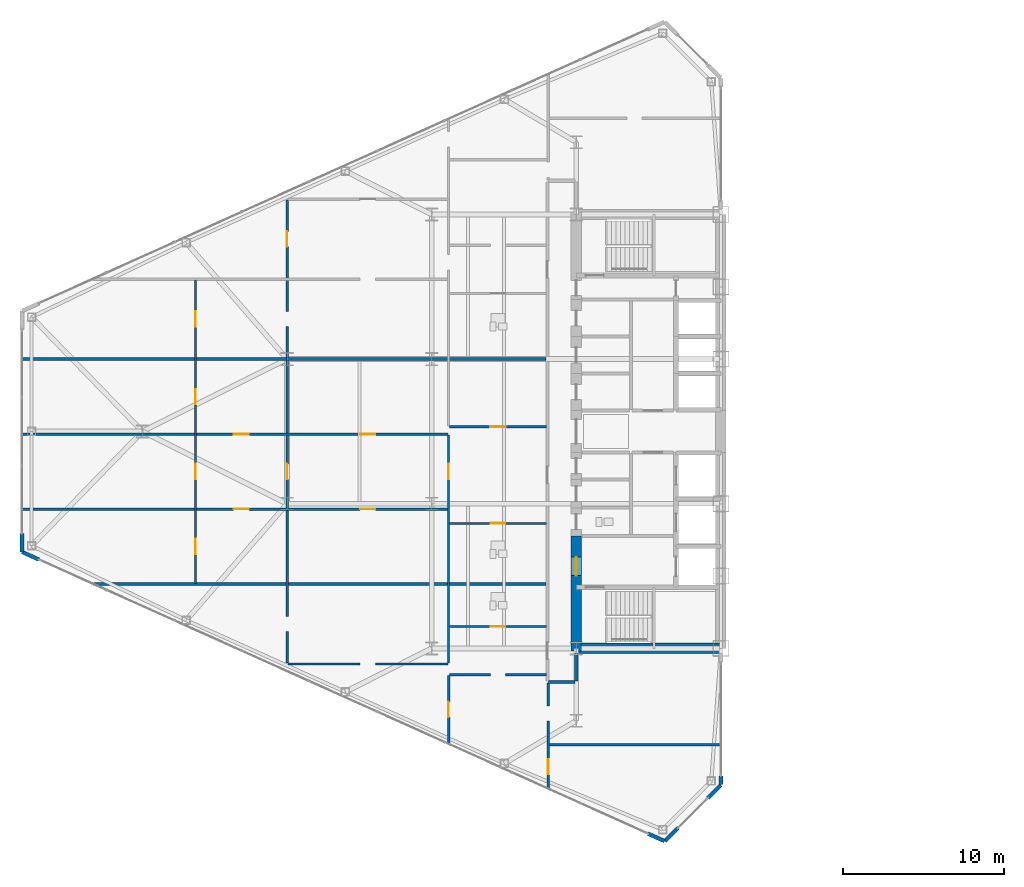
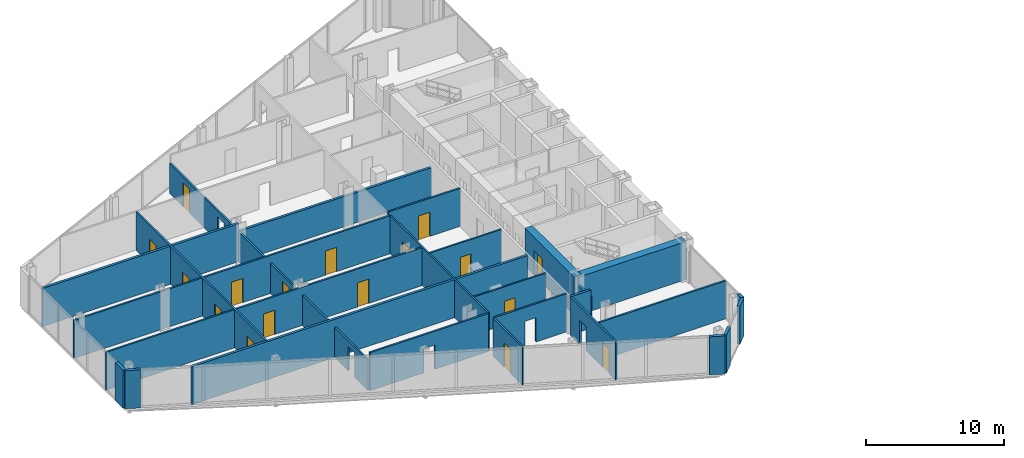
# One storey, part 19 of 27: 26 walls, 17 doors, 22 openings.
"""IFC4 building model written with IfcOpenShell, lengths in metres."""

from ifc_helpers import new_model, si_unit, direction, frame, frame_2d, origin, place, context, subcontext, project, spatial, rectangle, extrude, source, transform, mapped, material, layer, layer_set, type_object, type_shapes, element, fill, save


model = new_model("IFC4")

# Units and contexts
model_context = context("Model", 3, precision=1e-05, world=origin(), true_north=direction((0.0, 1.0)))
body_context = subcontext(model_context, "Body", "Model", "MODEL_VIEW")
ifc_project = project(units=[si_unit("LENGTHUNIT", "METRE"), si_unit("AREAUNIT", "SQUARE_METRE"), si_unit("VOLUMEUNIT", "CUBIC_METRE"), si_unit("PLANEANGLEUNIT", "RADIAN"), si_unit("MASSUNIT", "GRAM", prefix="KILO")], contexts=[model_context])

# Site, building, storey
site_placement = place(None, origin())
site = spatial("IfcSite", under=ifc_project, at=site_placement, CompositionType="ELEMENT")
building_placement = place(site_placement, origin())
building = spatial("IfcBuilding", under=site, at=building_placement, Name="Seokmaru Belvedere", CompositionType="ELEMENT")
storey_placement = place(building_placement, frame((0.0, 0.0, 76.5)))
storey = spatial("IfcBuildingStorey", under=building, at=storey_placement, Name="L20", CompositionType="ELEMENT", Elevation=76.5)

# Wall
ifc_material_1 = material(Name="Fire-Rated Gypsum Shaftwall")
ifc_layer_1 = layer(ifc_material_1, 0.14990234375)
ifc_layer_set_1 = layer_set([ifc_layer_1], Name="Fire-Rated Gypsum Shaftwall")
wall_type_1 = type_object("IfcWallType", Name="Apartment Fire-Acoustic Room Partition 150", PredefinedType="PARTITIONING", material=ifc_layer_set_1)
wall_1_placement = place(storey_placement, frame((-38.199951171875, -19.5, 0.0), z_axis=(0.0, 0.0, 1.0), x_axis=(1.0, 0.0, 0.0)))
element("IfcWall", 1, at=wall_1_placement, inside=storey, type_object=wall_type_1, Name="L20 Interior Partition 001", PredefinedType="PARTITIONING", context=body_context, shape_type="SweptSolid", body=[
    extrude(rectangle(XDim=10.73486328125, YDim=0.14990234375, at=frame_2d((5.367431640625, 0.0))), origin(), (0.0, 0.0, 1.0), 3.3798828125),
])

# Wall, opening
wall_2_placement = place(storey_placement, frame((-44.39990234375, -15.139892578125, 0.0), z_axis=(0.0, 0.0, 1.0), x_axis=(1.0, 0.0, 0.0)))
wall_2 = element("IfcWall", 2, at=wall_2_placement, inside=storey, type_object=wall_type_1, Name="L20 Interior Partition 004", PredefinedType="PARTITIONING", context=body_context, shape_type="SweptSolid", body=[
    extrude(rectangle(XDim=6.0498046875, YDim=0.14990234375, at=frame_2d((3.02490234375, 0.0))), origin(), (0.0, 0.0, 1.0), 3.3798828125),
])
opening_1_placement = place(wall_2_placement, frame((2.550048828125, 0.0, 0.0)))
element("IfcOpeningElement", 3, at=opening_1_placement, cuts=wall_2, Name="L20 Cased Opening 003", PredefinedType="OPENING", context=body_context, shape_type="SweptSolid", body=[
    extrude(rectangle(XDim=0.949951171875, YDim=2.14990234375, at=frame_2d((0.47509765625, 1.074951171875))), frame((0.0, 0.0849609375, 0.0), z_axis=(0.0, -1.0, 0.0), x_axis=(1.0, 0.0, 0.0)), (0.0, 0.0, 1.0), 0.169921875),
])

wall_3_placement = place(storey_placement, frame((-54.449951171875, -14.469970703125, 0.0), z_axis=(0.0, 0.0, 1.0), x_axis=(1.0, 0.0, 0.0)))
wall_3 = element("IfcWall", 4, at=wall_3_placement, inside=storey, type_object=wall_type_1, Name="L20 Interior Partition 005", PredefinedType="PARTITIONING", context=body_context, shape_type="SweptSolid", body=[
    extrude(rectangle(XDim=9.949951171875, YDim=0.14990234375, at=frame_2d((4.97509765625, 0.0))), origin(), (0.0, 0.0, 1.0), 3.3798828125),
])
opening_2_placement = place(wall_3_placement, frame((4.5, 0.0, 0.0)))
element("IfcOpeningElement", 5, at=opening_2_placement, cuts=wall_3, Name="L20 Cased Opening 007", PredefinedType="OPENING", context=body_context, shape_type="SweptSolid", body=[
    extrude(rectangle(XDim=0.949951171875, YDim=2.14990234375, at=frame_2d((0.47509765625, 1.074951171875))), frame((0.0, 0.0849609375, 0.0), z_axis=(0.0, -1.0, 0.0), x_axis=(1.0, 0.0, 0.0)), (0.0, 0.0, 1.0), 0.169921875),
])

# Wall, openings, doors
wall_4_placement = place(storey_placement, frame((-71.034912109375, -4.830078125, 0.0), z_axis=(0.0, 0.0, 1.0), x_axis=(1.0, 0.0, 0.0)))
wall_4 = element("IfcWall", 6, at=wall_4_placement, inside=storey, type_object=wall_type_1, Name="L20 Interior Partition 010", PredefinedType="PARTITIONING", context=body_context, shape_type="SweptSolid", body=[
    extrude(rectangle(XDim=26.534912109375, YDim=0.14990234375, at=frame_2d((13.267578125, 0.0))), origin(), (0.0, 0.0, 1.0), 3.3798828125),
])
opening_3_placement = place(wall_4_placement, frame((21.0849609375, 0.0, 0.0)))
opening_3 = element("IfcOpeningElement", 7, at=opening_3_placement, cuts=wall_4, Name="Opening D05", PredefinedType="OPENING", context=body_context, shape_type="SweptSolid", body=[
    extrude(rectangle(XDim=0.949951171875, YDim=2.14990234375, at=frame_2d((0.47509765625, 1.074951171875))), frame((0.0, 0.0849609375, 0.0), z_axis=(0.0, -1.0, 0.0), x_axis=(1.0, 0.0, 0.0)), (0.0, 0.0, 1.0), 0.169921875),
])
opening_4_placement = place(wall_4_placement, frame((13.2099609375, 0.0, 0.0)))
opening_4 = element("IfcOpeningElement", 8, at=opening_4_placement, cuts=wall_4, Name="Opening D05", PredefinedType="OPENING", context=body_context, shape_type="SweptSolid", body=[
    extrude(rectangle(XDim=0.949951171875, YDim=2.14990234375, at=frame_2d((0.47509765625, 1.074951171875))), frame((0.0, 0.0849609375, 0.0), z_axis=(0.0, -1.0, 0.0), x_axis=(1.0, 0.0, 0.0)), (0.0, 0.0, 1.0), 0.169921875),
])
ifc_material_2 = material(Name="Engineered White Oak Timber", Category="wood")
door_type_1 = type_object("IfcDoorType", Name="Apartment Interior Fire-Rated Oak Door 950x2150", OperationType="NOTDEFINED", PredefinedType="DOOR", material=ifc_material_2)
shared_shape_1 = source(origin(), body_context, "Body", "SweptSolid", [
    extrude(rectangle(XDim=0.949951171875, YDim=2.14990234375, at=frame_2d((0.47509765625, 1.074951171875))), frame((0.0, 0.02490234375, 0.0), z_axis=(0.0, -1.0, 0.0), x_axis=(1.0, 0.0, 0.0)), (0.0, 0.0, 1.0), 0.050048828125),
])
type_shapes(door_type_1, [shared_shape_1])
door_1_placement = place(opening_3_placement, origin())
door_1 = element("IfcDoor", 9, at=door_1_placement, inside=storey, type_object=door_type_1, Name="L20 Interior Door 014", OperationType="SINGLE_SWING_RIGHT", OverallHeight=2.14990234375, OverallWidth=0.949951171875, PredefinedType="DOOR", context=body_context, shape_type="MappedRepresentation", body=[
    mapped(shared_shape_1, transform((0.0, 0.0, 0.0), scale=1.0)),
])
fill(opening_3, door_1)
door_2_placement = place(opening_4_placement, origin())
door_2 = element("IfcDoor", 10, at=door_2_placement, inside=storey, type_object=door_type_1, Name="L20 Interior Door 016", OperationType="SINGLE_SWING_LEFT", OverallHeight=2.14990234375, OverallWidth=0.949951171875, PredefinedType="DOOR", context=body_context, shape_type="MappedRepresentation", body=[
    mapped(shared_shape_1, transform((0.0, 0.0, 0.0), scale=1.0)),
])
fill(opening_4, door_2)

wall_5_placement = place(storey_placement, frame((-71.034912109375, -0.169921875, 0.0), z_axis=(0.0, 0.0, 1.0), x_axis=(1.0, 0.0, 0.0)))
wall_5 = element("IfcWall", 11, at=wall_5_placement, inside=storey, type_object=wall_type_1, Name="L20 Interior Partition 013", PredefinedType="PARTITIONING", context=body_context, shape_type="SweptSolid", body=[
    extrude(rectangle(XDim=26.534912109375, YDim=0.14990234375, at=frame_2d((13.267578125, 0.0))), origin(), (0.0, 0.0, 1.0), 3.3798828125),
])
opening_5_placement = place(wall_5_placement, frame((21.0849609375, 0.0, 0.0)))
opening_5 = element("IfcOpeningElement", 12, at=opening_5_placement, cuts=wall_5, Name="Opening D05", PredefinedType="OPENING", context=body_context, shape_type="SweptSolid", body=[
    extrude(rectangle(XDim=0.949951171875, YDim=2.14990234375, at=frame_2d((0.47509765625, 1.074951171875))), frame((0.0, 0.0849609375, 0.0), z_axis=(0.0, -1.0, 0.0), x_axis=(1.0, 0.0, 0.0)), (0.0, 0.0, 1.0), 0.169921875),
])
opening_6_placement = place(wall_5_placement, frame((13.2099609375, 0.0, 0.0)))
opening_6 = element("IfcOpeningElement", 13, at=opening_6_placement, cuts=wall_5, Name="Opening D05", PredefinedType="OPENING", context=body_context, shape_type="SweptSolid", body=[
    extrude(rectangle(XDim=0.949951171875, YDim=2.14990234375, at=frame_2d((0.47509765625, 1.074951171875))), frame((0.0, 0.0849609375, 0.0), z_axis=(0.0, -1.0, 0.0), x_axis=(1.0, 0.0, 0.0)), (0.0, 0.0, 1.0), 0.169921875),
])
door_3_placement = place(opening_5_placement, origin())
door_3 = element("IfcDoor", 14, at=door_3_placement, inside=storey, type_object=door_type_1, Name="L20 Interior Door 015", OperationType="SINGLE_SWING_LEFT", OverallHeight=2.14990234375, OverallWidth=0.949951171875, PredefinedType="DOOR", context=body_context, shape_type="MappedRepresentation", body=[
    mapped(shared_shape_1, transform((0.0, 0.0, 0.0), scale=1.0)),
])
fill(opening_5, door_3)
door_4_placement = place(opening_6_placement, origin())
door_4 = element("IfcDoor", 15, at=door_4_placement, inside=storey, type_object=door_type_1, Name="L20 Interior Door 019", OperationType="SINGLE_SWING_LEFT", OverallHeight=2.14990234375, OverallWidth=0.949951171875, PredefinedType="DOOR", context=body_context, shape_type="MappedRepresentation", body=[
    mapped(shared_shape_1, transform((0.0, 0.0, 0.0), scale=1.0)),
])
fill(opening_6, door_4)

# Wall, opening, door
wall_6_placement = place(storey_placement, frame((-44.39990234375, 0.300048828125, 0.0), z_axis=(0.0, 0.0, 1.0), x_axis=(1.0, 0.0, 0.0)))
wall_6 = element("IfcWall", 16, at=wall_6_placement, inside=storey, type_object=wall_type_1, Name="L20 Interior Partition 014", PredefinedType="PARTITIONING", context=body_context, shape_type="SweptSolid", body=[
    extrude(rectangle(XDim=6.0498046875, YDim=0.14990234375, at=frame_2d((3.02490234375, 0.0))), origin(), (0.0, 0.0, 1.0), 3.3798828125),
])
opening_7_placement = place(wall_6_placement, frame((2.550048828125, 0.0, 0.0)))
opening_7 = element("IfcOpeningElement", 17, at=opening_7_placement, cuts=wall_6, Name="Opening D05", PredefinedType="OPENING", context=body_context, shape_type="SweptSolid", body=[
    extrude(rectangle(XDim=0.949951171875, YDim=2.14990234375, at=frame_2d((0.47509765625, 1.074951171875))), frame((0.0, 0.0849609375, 0.0), z_axis=(0.0, -1.0, 0.0), x_axis=(1.0, 0.0, 0.0)), (0.0, 0.0, 1.0), 0.169921875),
])
door_5_placement = place(opening_7_placement, origin())
door_5 = element("IfcDoor", 18, at=door_5_placement, inside=storey, type_object=door_type_1, Name="L20 Interior Door 011", OperationType="SINGLE_SWING_LEFT", OverallHeight=2.14990234375, OverallWidth=0.949951171875, PredefinedType="DOOR", context=body_context, shape_type="MappedRepresentation", body=[
    mapped(shared_shape_1, transform((0.0, 0.0, 0.0), scale=1.0)),
])
fill(opening_7, door_5)

# Wall, openings, doors
wall_7_placement = place(storey_placement, frame((-60.199951171875, -9.449951171875, 0.0), z_axis=(0.0, 0.0, 1.0), x_axis=(0.0, 1.0, 0.0)))
wall_7 = element("IfcWall", 19, at=wall_7_placement, inside=storey, type_object=wall_type_1, Name="L20 Interior Partition 033", PredefinedType="PARTITIONING", context=body_context, shape_type="SweptSolid", body=[
    extrude(rectangle(XDim=18.883056640625, YDim=0.14990234375, at=frame_2d((9.44140625, 0.0))), origin(), (0.0, 0.0, 1.0), 3.3798828125),
])
opening_8_placement = place(wall_7_placement, frame((1.808349609375, 0.0, 0.0)))
opening_8 = element("IfcOpeningElement", 20, at=opening_8_placement, cuts=wall_7, Name="Opening D05", PredefinedType="OPENING", context=body_context, shape_type="SweptSolid", body=[
    extrude(rectangle(XDim=0.949951171875, YDim=2.14990234375, at=frame_2d((0.47509765625, 1.074951171875))), frame((0.0, 0.0849609375, 0.0), z_axis=(0.0, -1.0, 0.0), x_axis=(1.0, 0.0, 0.0)), (0.0, 0.0, 1.0), 0.169921875),
])
opening_9_placement = place(wall_7_placement, frame((6.47509765625, 0.0, 0.0)))
opening_9 = element("IfcOpeningElement", 21, at=opening_9_placement, cuts=wall_7, Name="Opening D05", PredefinedType="OPENING", context=body_context, shape_type="SweptSolid", body=[
    extrude(rectangle(XDim=0.949951171875, YDim=2.14990234375, at=frame_2d((0.47509765625, 1.074951171875))), frame((0.0, 0.0849609375, 0.0), z_axis=(0.0, -1.0, 0.0), x_axis=(1.0, 0.0, 0.0)), (0.0, 0.0, 1.0), 0.169921875),
])
opening_10_placement = place(wall_7_placement, frame((11.1416015625, 0.0, 0.0)))
opening_10 = element("IfcOpeningElement", 22, at=opening_10_placement, cuts=wall_7, Name="Opening D05", PredefinedType="OPENING", context=body_context, shape_type="SweptSolid", body=[
    extrude(rectangle(XDim=0.949951171875, YDim=2.14990234375, at=frame_2d((0.47509765625, 1.074951171875))), frame((0.0, 0.0849609375, 0.0), z_axis=(0.0, -1.0, 0.0), x_axis=(1.0, 0.0, 0.0)), (0.0, 0.0, 1.0), 0.169921875),
])
opening_11_placement = place(wall_7_placement, frame((15.96630859375, 0.0, 0.0)))
opening_11 = element("IfcOpeningElement", 23, at=opening_11_placement, cuts=wall_7, Name="Opening D05", PredefinedType="OPENING", context=body_context, shape_type="SweptSolid", body=[
    extrude(rectangle(XDim=0.949951171875, YDim=2.14990234375, at=frame_2d((0.47509765625, 1.074951171875))), frame((0.0, 0.0849609375, 0.0), z_axis=(0.0, -1.0, 0.0), x_axis=(1.0, 0.0, 0.0)), (0.0, 0.0, 1.0), 0.169921875),
])
door_6_placement = place(opening_8_placement, origin())
door_6 = element("IfcDoor", 24, at=door_6_placement, inside=storey, type_object=door_type_1, Name="L20 Interior Door 017", OperationType="SINGLE_SWING_RIGHT", OverallHeight=2.14990234375, OverallWidth=0.949951171875, PredefinedType="DOOR", context=body_context, shape_type="MappedRepresentation", body=[
    mapped(shared_shape_1, transform((0.0, 0.0, 0.0), scale=1.0)),
])
fill(opening_8, door_6)
door_7_placement = place(opening_9_placement, origin())
door_7 = element("IfcDoor", 25, at=door_7_placement, inside=storey, type_object=door_type_1, Name="L20 Interior Door 018", OperationType="SINGLE_SWING_RIGHT", OverallHeight=2.14990234375, OverallWidth=0.949951171875, PredefinedType="DOOR", context=body_context, shape_type="MappedRepresentation", body=[
    mapped(shared_shape_1, transform((0.0, 0.0, 0.0), scale=1.0)),
])
fill(opening_9, door_7)
door_8_placement = place(opening_10_placement, origin())
door_8 = element("IfcDoor", 26, at=door_8_placement, inside=storey, type_object=door_type_1, Name="L20 Interior Door 020", OperationType="SINGLE_SWING_RIGHT", OverallHeight=2.14990234375, OverallWidth=0.949951171875, PredefinedType="DOOR", context=body_context, shape_type="MappedRepresentation", body=[
    mapped(shared_shape_1, transform((0.0, 0.0, 0.0), scale=1.0)),
])
fill(opening_10, door_8)
door_9_placement = place(opening_11_placement, origin())
door_9 = element("IfcDoor", 27, at=door_9_placement, inside=storey, type_object=door_type_1, Name="L20 Interior Door 029", OperationType="SINGLE_SWING_RIGHT", OverallHeight=2.14990234375, OverallWidth=0.949951171875, PredefinedType="DOOR", context=body_context, shape_type="MappedRepresentation", body=[
    mapped(shared_shape_1, transform((0.0, 0.0, 0.0), scale=1.0)),
])
fill(opening_11, door_9)

wall_8_placement = place(storey_placement, frame((-54.5, -14.424072265625, 0.0), z_axis=(0.0, 0.0, 1.0), x_axis=(0.0, 1.0, 0.0)))
wall_8 = element("IfcWall", 28, at=wall_8_placement, inside=storey, type_object=wall_type_1, Name="L20 Interior Partition 034", PredefinedType="PARTITIONING", context=body_context, shape_type="SweptSolid", body=[
    extrude(rectangle(XDim=28.839111328125, YDim=0.14990234375, at=frame_2d((14.41943359375, 0.0))), origin(), (0.0, 0.0, 1.0), 2.679931640625),
])
opening_12_placement = place(wall_8_placement, frame((1.962158203125, 0.0, 0.0)))
element("IfcOpeningElement", 29, at=opening_12_placement, cuts=wall_8, Name="L20 Cased Opening 008", PredefinedType="OPENING", context=body_context, shape_type="SweptSolid", body=[
    extrude(rectangle(XDim=0.949951171875, YDim=2.14990234375, at=frame_2d((0.47509765625, 1.074951171875))), frame((0.0, 0.0849609375, 0.0), z_axis=(0.0, -1.0, 0.0), x_axis=(1.0, 0.0, 0.0)), (0.0, 0.0, 1.0), 0.169921875),
])
opening_13_placement = place(wall_8_placement, frame((11.448974609375, 0.0, 0.0)))
opening_13 = element("IfcOpeningElement", 30, at=opening_13_placement, cuts=wall_8, Name="Opening D05", PredefinedType="OPENING", context=body_context, shape_type="SweptSolid", body=[
    extrude(rectangle(XDim=0.949951171875, YDim=2.14990234375, at=frame_2d((0.47509765625, 1.074951171875))), frame((0.0, 0.0849609375, 0.0), z_axis=(0.0, -1.0, 0.0), x_axis=(1.0, 0.0, 0.0)), (0.0, 0.0, 1.0), 0.169921875),
])
opening_14_placement = place(wall_8_placement, frame((25.922607421875, 0.0, 0.0)))
opening_14 = element("IfcOpeningElement", 31, at=opening_14_placement, cuts=wall_8, Name="Opening D05", PredefinedType="OPENING", context=body_context, shape_type="SweptSolid", body=[
    extrude(rectangle(XDim=0.949951171875, YDim=2.14990234375, at=frame_2d((0.47509765625, 1.074951171875))), frame((0.0, 0.0849609375, 0.0), z_axis=(0.0, -1.0, 0.0), x_axis=(1.0, 0.0, 0.0)), (0.0, 0.0, 1.0), 0.169921875),
])
opening_15_placement = place(wall_8_placement, frame((20.940185546875, 0.0, 0.0)))
element("IfcOpeningElement", 32, at=opening_15_placement, cuts=wall_8, Name="L20 Cased Opening 028", PredefinedType="OPENING", context=body_context, shape_type="SweptSolid", body=[
    extrude(rectangle(XDim=0.949951171875, YDim=2.14990234375, at=frame_2d((0.47509765625, 1.074951171875))), frame((0.0, 0.0849609375, 0.0), z_axis=(0.0, -1.0, 0.0), x_axis=(1.0, 0.0, 0.0)), (0.0, 0.0, 1.0), 0.169921875),
])
door_10_placement = place(opening_13_placement, origin())
door_10 = element("IfcDoor", 33, at=door_10_placement, inside=storey, type_object=door_type_1, Name="L20 Interior Door 013", OperationType="SINGLE_SWING_LEFT", OverallHeight=2.14990234375, OverallWidth=0.949951171875, PredefinedType="DOOR", context=body_context, shape_type="MappedRepresentation", body=[
    mapped(shared_shape_1, transform((0.0, 0.0, 0.0), scale=1.0)),
])
fill(opening_13, door_10)
door_11_placement = place(opening_14_placement, origin())
door_11 = element("IfcDoor", 34, at=door_11_placement, inside=storey, type_object=door_type_1, Name="L20 Interior Door 025", OperationType="SINGLE_SWING_RIGHT", OverallHeight=2.14990234375, OverallWidth=0.949951171875, PredefinedType="DOOR", context=body_context, shape_type="MappedRepresentation", body=[
    mapped(shared_shape_1, transform((0.0, 0.0, 0.0), scale=1.0)),
])
fill(opening_14, door_11)

# Wall, opening, door
wall_9_placement = place(storey_placement, frame((-44.449951171875, -19.48291015625, 0.0), z_axis=(0.0, 0.0, 1.0), x_axis=(0.0, 1.0, 0.0)))
wall_9 = element("IfcWall", 35, at=wall_9_placement, inside=storey, type_object=wall_type_1, Name="L20 Interior Partition 035", PredefinedType="PARTITIONING", context=body_context, shape_type="SweptSolid", body=[
    extrude(rectangle(XDim=4.287841796875, YDim=0.14990234375, at=frame_2d((2.14404296875, 0.0))), origin(), (0.0, 0.0, 1.0), 3.3798828125),
])
opening_16_placement = place(wall_9_placement, frame((1.711669921875, 0.0, 0.0)))
opening_16 = element("IfcOpeningElement", 36, at=opening_16_placement, cuts=wall_9, Name="Opening D05", PredefinedType="OPENING", context=body_context, shape_type="SweptSolid", body=[
    extrude(rectangle(XDim=0.949951171875, YDim=2.14990234375, at=frame_2d((0.47509765625, 1.074951171875))), frame((0.0, 0.0849609375, 0.0), z_axis=(0.0, -1.0, 0.0), x_axis=(1.0, 0.0, 0.0)), (0.0, 0.0, 1.0), 0.169921875),
])
door_12_placement = place(opening_16_placement, origin())
door_12 = element("IfcDoor", 37, at=door_12_placement, inside=storey, type_object=door_type_1, Name="L20 Interior Door 004", OperationType="SINGLE_SWING_RIGHT", OverallHeight=2.14990234375, OverallWidth=0.949951171875, PredefinedType="DOOR", context=body_context, shape_type="MappedRepresentation", body=[
    mapped(shared_shape_1, transform((0.0, 0.0, 0.0), scale=1.0)),
])
fill(opening_16, door_12)

# Wall, openings, door
wall_10_placement = place(storey_placement, frame((-38.25, -22.27294921875, 0.0), z_axis=(0.0, 0.0, 1.0), x_axis=(0.0, 1.0, 0.0)))
wall_10 = element("IfcWall", 38, at=wall_10_placement, inside=storey, type_object=wall_type_1, Name="L20 Interior Partition 039", PredefinedType="PARTITIONING", context=body_context, shape_type="SweptSolid", body=[
    extrude(rectangle(XDim=6.623046875, YDim=0.14990234375, at=frame_2d((3.3115234375, 0.0))), origin(), (0.0, 0.0, 1.0), 3.3798828125),
])
opening_17_placement = place(wall_10_placement, frame((0.92919921875, 0.0, 0.0)))
opening_17 = element("IfcOpeningElement", 39, at=opening_17_placement, cuts=wall_10, Name="Opening D05", PredefinedType="OPENING", context=body_context, shape_type="SweptSolid", body=[
    extrude(rectangle(XDim=0.949951171875, YDim=2.14990234375, at=frame_2d((0.47509765625, 1.074951171875))), frame((0.0, 0.0849609375, 0.0), z_axis=(0.0, -1.0, 0.0), x_axis=(1.0, 0.0, 0.0)), (0.0, 0.0, 1.0), 0.169921875),
])
opening_18_placement = place(wall_10_placement, frame((4.248046875, 0.0, 0.0)))
element("IfcOpeningElement", 40, at=opening_18_placement, cuts=wall_10, Name="L20 Cased Opening 006", PredefinedType="OPENING", context=body_context, shape_type="SweptSolid", body=[
    extrude(rectangle(XDim=0.949951171875, YDim=2.14990234375, at=frame_2d((0.47509765625, 1.074951171875))), frame((0.0, 0.0849609375, 0.0), z_axis=(0.0, -1.0, 0.0), x_axis=(1.0, 0.0, 0.0)), (0.0, 0.0, 1.0), 0.169921875),
])
door_13_placement = place(opening_17_placement, origin())
door_13 = element("IfcDoor", 41, at=door_13_placement, inside=storey, type_object=door_type_1, Name="L20 Interior Door 005", OperationType="SINGLE_SWING_LEFT", OverallHeight=2.14990234375, OverallWidth=0.949951171875, PredefinedType="DOOR", context=body_context, shape_type="MappedRepresentation", body=[
    mapped(shared_shape_1, transform((0.0, 0.0, 0.0), scale=1.0)),
])
fill(opening_17, door_13)

# Walls
ifc_layer_2 = layer(ifc_material_1, 0.199951171875)
ifc_layer_set_2 = layer_set([ifc_layer_2], Name="Fire-Rated Gypsum Shaftwall")
wall_type_2 = type_object("IfcWallType", Name="Inter-Tenancy Fire Compartment Partition 200", PredefinedType="PARTITIONING", material=ifc_layer_set_2)
wall_11_placement = place(storey_placement, frame((-38.215087890625, -15.60009765625, 0.0), z_axis=(0.0, 0.0, 1.0), x_axis=(1.0, 0.0, 0.0)))
element("IfcWall", 42, at=wall_11_placement, inside=storey, type_object=wall_type_2, Name="L20 Interior Partition 002", PredefinedType="PARTITIONING", context=body_context, shape_type="SweptSolid", body=[
    extrude(rectangle(XDim=1.630126953125, YDim=0.199951171875, at=frame_2d((0.81494140625, 0.0))), origin(), (0.0, 0.0, 1.0), 3.3798828125),
])
wall_12_placement = place(storey_placement, frame((-66.568115234375, -9.5, 0.0), z_axis=(0.0, 0.0, 1.0), x_axis=(1.0, 0.0, 0.0)))
element("IfcWall", 43, at=wall_12_placement, inside=storey, type_object=wall_type_2, Name="L20 Interior Partition 007", PredefinedType="PARTITIONING", context=body_context, shape_type="SweptSolid", body=[
    extrude(rectangle(XDim=28.188232421875, YDim=0.199951171875, at=frame_2d((14.09423828125, 0.0))), origin(), (0.0, 0.0, 1.0), 3.3798828125),
])
wall_13_placement = place(storey_placement, frame((-71.0048828125, 4.5, 0.0), z_axis=(0.0, 0.0, 1.0), x_axis=(1.0, 0.0, 0.0)))
element("IfcWall", 44, at=wall_13_placement, inside=storey, type_object=wall_type_2, Name="L20 Interior Partition 017", PredefinedType="PARTITIONING", context=body_context, shape_type="SweptSolid", body=[
    extrude(rectangle(XDim=16.48486328125, YDim=0.199951171875, at=frame_2d((8.242431640625, 0.0))), origin(), (0.0, 0.0, 1.0), 3.3798828125),
])
wall_14_placement = place(storey_placement, frame((-54.52001953125, 4.5, 0.0), z_axis=(0.0, 0.0, 1.0), x_axis=(1.0, 0.0, 0.0)))
element("IfcWall", 45, at=wall_14_placement, inside=storey, type_object=wall_type_2, Name="L20 Interior Partition 017 Part 2", PredefinedType="PARTITIONING", context=body_context, shape_type="SweptSolid", body=[
    extrude(rectangle(XDim=16.14013671875, YDim=0.199951171875, at=frame_2d((8.070068359375, 0.0))), origin(), (0.0, 0.0, 1.0), 2.679931640625),
])
wall_15_placement = place(storey_placement, frame((-36.5, -15.514892578125, 0.0), z_axis=(0.0, 0.0, 1.0), x_axis=(0.0, 1.0, 0.0)))
element("IfcWall", 46, at=wall_15_placement, inside=storey, type_object=wall_type_2, Name="L20 Interior Partition 041", PredefinedType="PARTITIONING", context=body_context, shape_type="SweptSolid", body=[
    extrude(rectangle(XDim=1.684814453125, YDim=0.199951171875, at=frame_2d((0.84228515625, 0.0))), origin(), (0.0, 0.0, 1.0), 2.679931640625),
])
ifc_material_3 = material(Name="Concrete C60 (60 MPa)", Category="concrete")
ifc_layer_3 = layer(ifc_material_3, 0.64990234375)
ifc_layer_set_3 = layer_set([ifc_layer_3], Name="Concrete C60 (60 MPa)")
wall_type_3 = type_object("IfcWallType", Name="Mid-Low Reinforced Concrete Core Wall 650", PredefinedType="SHEAR", material=ifc_layer_set_3)
wall_16_placement = place(storey_placement, frame((-36.5, -13.5, 0.0), z_axis=(0.0, 0.0, 1.0), x_axis=(1.0, 0.0, 0.0)))
element("IfcWall", 47, at=wall_16_placement, inside=storey, type_object=wall_type_3, Name="L20 West South Core Wall", PredefinedType="SHEAR", context=body_context, shape_type="SweptSolid", body=[
    extrude(rectangle(XDim=9.0, YDim=0.64990234375, at=frame_2d((4.5, 0.0))), origin(), (0.0, 0.0, 1.0), 3.3798828125),
])

# Wall, opening, door
wall_17_placement = place(storey_placement, frame((-36.5, -13.64990234375, 0.0), z_axis=(0.0, 0.0, 1.0), x_axis=(0.0, 1.0, 0.0)))
wall_17 = element("IfcWall", 48, at=wall_17_placement, inside=storey, type_object=wall_type_3, Name="L20 West West Core Wall FF", PredefinedType="SHEAR", context=body_context, shape_type="SweptSolid", body=[
    extrude(rectangle(XDim=7.14990234375, YDim=0.64990234375, at=frame_2d((3.574951171875, 0.0))), origin(), (0.0, 0.0, 1.0), 3.3798828125),
])
opening_19_placement = place(wall_17_placement, frame((4.675048828125, 0.0, 0.0)))
opening_19 = element("IfcOpeningElement", 49, at=opening_19_placement, cuts=wall_17, Name="Opening D02", PredefinedType="OPENING", context=body_context, shape_type="SweptSolid", body=[
    extrude(rectangle(XDim=1.14990234375, YDim=2.199951171875, at=frame_2d((0.574951171875, 1.10009765625))), frame((0.0, 0.3349609375, 0.0), z_axis=(0.0, -1.0, 0.0), x_axis=(1.0, 0.0, 0.0)), (0.0, 0.0, 1.0), 0.669921875),
])
ifc_material_4 = material(Name="Fire-Rated Steel Leaf", Category="steel")
door_type_2 = type_object("IfcDoorType", Name="Lobby and Vestibule Fire Door 1150x2200", OperationType="NOTDEFINED", PredefinedType="DOOR", material=ifc_material_4)
shared_shape_2 = source(origin(), body_context, "Body", "SweptSolid", [
    extrude(rectangle(XDim=1.14990234375, YDim=2.199951171875, at=frame_2d((0.574951171875, 1.10009765625))), frame((0.0, 0.02490234375, 0.0), z_axis=(0.0, -1.0, 0.0), x_axis=(1.0, 0.0, 0.0)), (0.0, 0.0, 1.0), 0.050048828125),
])
type_shapes(door_type_2, [shared_shape_2])
door_14_placement = place(opening_19_placement, frame((1.14990234375, 0.0, 0.0), z_axis=(0.0, 0.0, 1.0), x_axis=(-1.0, 0.0, 0.0)))
door_14 = element("IfcDoor", 50, at=door_14_placement, inside=storey, type_object=door_type_2, Name="L20 West Firefighting Lobby Door", OperationType="SINGLE_SWING_LEFT", OverallHeight=2.199951171875, OverallWidth=1.14990234375, PredefinedType="DOOR", context=body_context, shape_type="MappedRepresentation", body=[
    mapped(shared_shape_2, transform((0.0, 0.0, 0.0), scale=1.0)),
])
fill(opening_19, door_14)

ifc_layer_4 = layer(ifc_material_1, 0.1298828125)
ifc_layer_set_4 = layer_set([ifc_layer_4], Name="Fire-Rated Gypsum Shaftwall")
wall_type_4 = type_object("IfcWallType", Name="Moisture-Resistant Fire-Rated Bathroom Partition 130", PredefinedType="PARTITIONING", material=ifc_layer_set_4)
wall_18_placement = place(storey_placement, frame((-44.39990234375, -12.139892578125, 0.0), z_axis=(0.0, 0.0, 1.0), x_axis=(1.0, 0.0, 0.0)))
wall_18 = element("IfcWall", 51, at=wall_18_placement, inside=storey, type_object=wall_type_4, Name="L20 Interior Partition 006", PredefinedType="PARTITIONING", context=body_context, shape_type="SweptSolid", body=[
    extrude(rectangle(XDim=6.0498046875, YDim=0.1298828125, at=frame_2d((3.02490234375, 0.0))), origin(), (0.0, 0.0, 1.0), 3.3798828125),
])
opening_20_placement = place(wall_18_placement, frame((2.5849609375, 0.0, 0.0)))
opening_20 = element("IfcOpeningElement", 52, at=opening_20_placement, cuts=wall_18, Name="Opening D06", PredefinedType="OPENING", context=body_context, shape_type="SweptSolid", body=[
    extrude(rectangle(XDim=0.8798828125, YDim=2.10009765625, at=frame_2d((0.43994140625, 1.050048828125))), frame((0.0, 0.074951171875, 0.0), z_axis=(0.0, -1.0, 0.0), x_axis=(1.0, 0.0, 0.0)), (0.0, 0.0, 1.0), 0.14990234375),
])
door_type_3 = type_object("IfcDoorType", Name="Bathroom and Restroom Fire-Rated Door 880x2100", OperationType="NOTDEFINED", PredefinedType="DOOR", material=ifc_material_2)
shared_shape_3 = source(origin(), body_context, "Body", "SweptSolid", [
    extrude(rectangle(XDim=0.8798828125, YDim=2.10009765625, at=frame_2d((0.43994140625, 1.050048828125))), frame((0.0, 0.02490234375, 0.0), z_axis=(0.0, -1.0, 0.0), x_axis=(1.0, 0.0, 0.0)), (0.0, 0.0, 1.0), 0.050048828125),
])
type_shapes(door_type_3, [shared_shape_3])
door_15_placement = place(opening_20_placement, origin())
door_15 = element("IfcDoor", 53, at=door_15_placement, inside=storey, type_object=door_type_3, Name="L20 Interior Door 002", OperationType="SINGLE_SWING_LEFT", OverallHeight=2.10009765625, OverallWidth=0.8798828125, PredefinedType="DOOR", context=body_context, shape_type="MappedRepresentation", body=[
    mapped(shared_shape_3, transform((0.0, 0.0, 0.0), scale=1.0)),
])
fill(opening_20, door_15)

wall_19_placement = place(storey_placement, frame((-44.39990234375, -5.719970703125, 0.0), z_axis=(0.0, 0.0, 1.0), x_axis=(1.0, 0.0, 0.0)))
wall_19 = element("IfcWall", 54, at=wall_19_placement, inside=storey, type_object=wall_type_4, Name="L20 Interior Partition 009", PredefinedType="PARTITIONING", context=body_context, shape_type="SweptSolid", body=[
    extrude(rectangle(XDim=6.0498046875, YDim=0.1298828125, at=frame_2d((3.02490234375, 0.0))), origin(), (0.0, 0.0, 1.0), 3.3798828125),
])
opening_21_placement = place(wall_19_placement, frame((2.5849609375, 0.0, 0.0)))
opening_21 = element("IfcOpeningElement", 55, at=opening_21_placement, cuts=wall_19, Name="Opening D06", PredefinedType="OPENING", context=body_context, shape_type="SweptSolid", body=[
    extrude(rectangle(XDim=0.8798828125, YDim=2.10009765625, at=frame_2d((0.43994140625, 1.050048828125))), frame((0.0, 0.074951171875, 0.0), z_axis=(0.0, -1.0, 0.0), x_axis=(1.0, 0.0, 0.0)), (0.0, 0.0, 1.0), 0.14990234375),
])
door_16_placement = place(opening_21_placement, origin())
door_16 = element("IfcDoor", 56, at=door_16_placement, inside=storey, type_object=door_type_3, Name="L20 Interior Door 010", OperationType="SINGLE_SWING_LEFT", OverallHeight=2.10009765625, OverallWidth=0.8798828125, PredefinedType="DOOR", context=body_context, shape_type="MappedRepresentation", body=[
    mapped(shared_shape_3, transform((0.0, 0.0, 0.0), scale=1.0)),
])
fill(opening_21, door_16)

wall_20_placement = place(storey_placement, frame((-44.449951171875, -14.424072265625, 0.0), z_axis=(0.0, 0.0, 1.0), x_axis=(0.0, 1.0, 0.0)))
wall_20 = element("IfcWall", 57, at=wall_20_placement, inside=storey, type_object=wall_type_4, Name="L20 Interior Partition 036", PredefinedType="PARTITIONING", context=body_context, shape_type="SweptSolid", body=[
    extrude(rectangle(XDim=14.20703125, YDim=0.1298828125, at=frame_2d((7.103515625, 0.0))), origin(), (0.0, 0.0, 1.0), 3.3798828125),
])
opening_22_placement = place(wall_20_placement, frame((11.448974609375, 0.0, 0.0)))
opening_22 = element("IfcOpeningElement", 58, at=opening_22_placement, cuts=wall_20, Name="Opening D05", PredefinedType="OPENING", context=body_context, shape_type="SweptSolid", body=[
    extrude(rectangle(XDim=0.949951171875, YDim=2.14990234375, at=frame_2d((0.47509765625, 1.074951171875))), frame((0.0, 0.074951171875, 0.0), z_axis=(0.0, -1.0, 0.0), x_axis=(1.0, 0.0, 0.0)), (0.0, 0.0, 1.0), 0.14990234375),
])
door_17_placement = place(opening_22_placement, origin())
door_17 = element("IfcDoor", 59, at=door_17_placement, inside=storey, type_object=door_type_1, Name="L20 Interior Door 012", OperationType="SINGLE_SWING_RIGHT", OverallHeight=2.14990234375, OverallWidth=0.949951171875, PredefinedType="DOOR", context=body_context, shape_type="MappedRepresentation", body=[
    mapped(shared_shape_1, transform((0.0, 0.0, 0.0), scale=1.0)),
])
fill(opening_22, door_17)

# Walls
ifc_material_5 = material(Name="Anodised Bronze Aluminium", Category="aluminium")
ifc_layer_5 = layer(ifc_material_5, 0.239990234375)
ifc_layer_set_5 = layer_set([ifc_layer_5], Name="Anodised Bronze Aluminium")
wall_type_5 = type_object("IfcWallType", Name="Tower Corner Spandrel Closure Wall 240", PredefinedType="SOLIDWALL", material=ifc_layer_set_5)
wall_21_placement = place(storey_placement, frame((-27.5, -21.97998046875, 0.0), z_axis=(0.0, 0.0, 1.0), x_axis=(0.0, 1.0, 0.0)))
element("IfcWall", 60, at=wall_21_placement, inside=storey, type_object=wall_type_5, Name="L20 W Spine Closure Pier 1A", PredefinedType="SOLIDWALL", context=body_context, shape_type="SweptSolid", body=[
    extrude(rectangle(XDim=0.550048828125, YDim=0.239990234375, at=frame_2d((0.27490234375, 0.0))), origin(), (0.0, 0.0, 1.0), 3.3798828125),
])
for number, where, z_axis, x_axis, name in (
    (61, (-71.0, -6.35009765625, 0.0), (0.0, 0.0, 1.0), (0.0, -1.0, 0.0), "L20 W Corner Closure Pier 4B"),
    (62, (-70.990966796875, -7.504150390625, 0.0), (0.0, 0.0, 1.0), (0.911929519623, -0.410346866979, 0.0), "L20 W Corner Closure Pier 5A"),
    (63, (-32.048583984375, -25.028076171875, 0.0), (0.0, 0.0, 1.0), (0.911929519623, -0.410346866979, 0.0), "L20 W Corner Closure Pier 5B"),
):
    element("IfcWall", number, at=place(storey_placement, frame(where, z_axis=z_axis, x_axis=x_axis)), inside=storey, type_object=wall_type_5, Name=name, PredefinedType="SOLIDWALL", context=body_context, shape_type="SweptSolid", body=[
        extrude(rectangle(XDim=1.139892578125, YDim=0.239990234375, at=frame_2d((0.56982421875, 0.0))), origin(), (0.0, 0.0, 1.0), 3.3798828125),
    ])
for number, where, z_axis, x_axis, name in (
    (64, (-30.992919921875, -25.492919921875, 0.0), (0.0, 0.0, 1.0), (0.707106781187, 0.707106781187, 0.0), "L20 W Corner Closure Pier 6A"),
    (65, (-28.313232421875, -22.813232421875, 0.0), (0.0, 0.0, 1.0), (0.707106781187, 0.707106781187, 0.0), "L20 W Corner Closure Pier 6B"),
):
    element("IfcWall", number, at=place(storey_placement, frame(where, z_axis=z_axis, x_axis=x_axis)), inside=storey, type_object=wall_type_5, Name=name, PredefinedType="SOLIDWALL", context=body_context, shape_type="SweptSolid", body=[
        extrude(rectangle(XDim=1.14013671875, YDim=0.239990234375, at=frame_2d((0.570068359375, 0.0))), origin(), (0.0, 0.0, 1.0), 3.3798828125),
    ])

save(model, "model.ifc")
